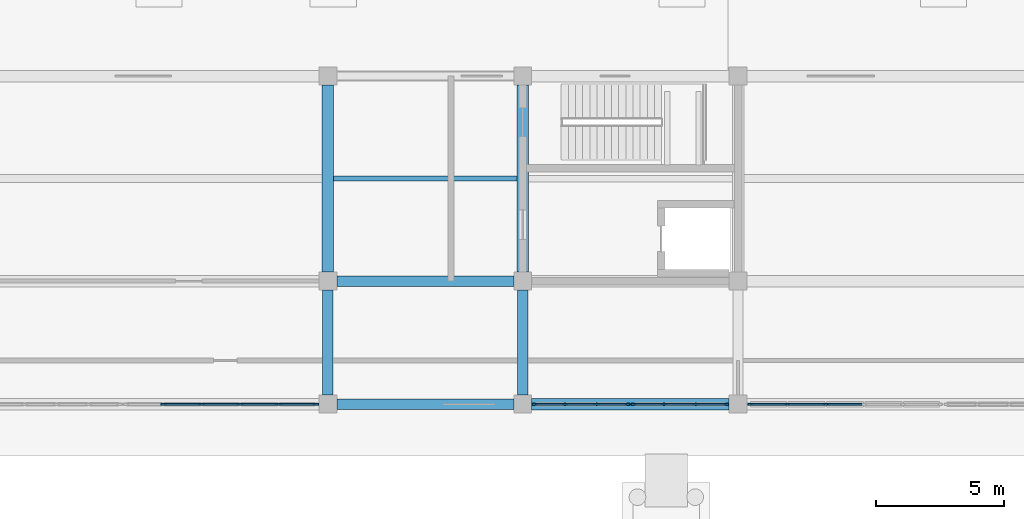
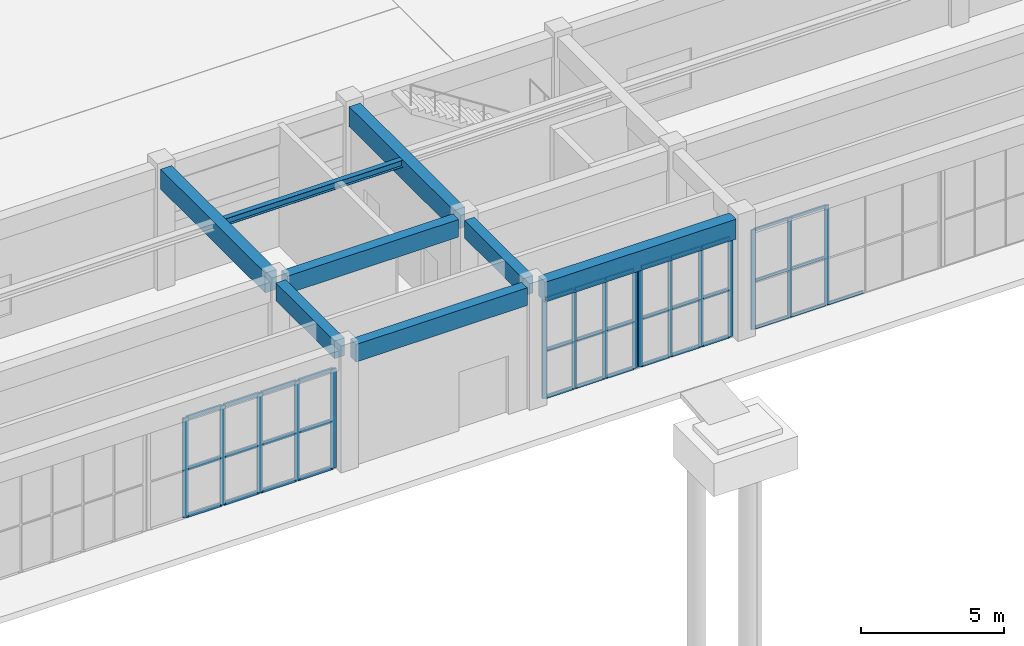
# One storey, part 12 of 46: 53 members, 8 beams, 4 elements without a shape of their own.
"""IFC4 building model written with IfcOpenShell, lengths in metres."""

from ifc_helpers import new_model, si_unit, direction, frame, origin, origin_2d, place, context, subcontext, project, spatial, rectangle, i_section, extrude, material, layer, layer_set, material_profile, profile_set, type_object, element, aggregate, save


model = new_model("IFC4")

# Units and contexts
model_context = context("Model", 3, precision=1e-05, world=origin(), true_north=direction((0.0, 1.0)))
body_context = subcontext(model_context, "Body", "Model", "MODEL_VIEW")
ifc_project = project(units=[si_unit("LENGTHUNIT", "METRE"), si_unit("AREAUNIT", "SQUARE_METRE"), si_unit("VOLUMEUNIT", "CUBIC_METRE"), si_unit("PLANEANGLEUNIT", "RADIAN"), si_unit("MASSUNIT", "GRAM", prefix="KILO")], contexts=[model_context])

# Site, building, storey
site_placement = place(None, origin())
site = spatial("IfcSite", under=ifc_project, at=site_placement, CompositionType="ELEMENT")
building_placement = place(site_placement, origin())
building = spatial("IfcBuilding", under=site, at=building_placement, Name="Cinchona Park Media Centre", CompositionType="ELEMENT")
storey_placement = place(building_placement, origin())
storey = spatial("IfcBuildingStorey", under=building, at=storey_placement, Name="L00", CompositionType="ELEMENT", Elevation=0.0)

# Beams
ifc_material_1 = material(Name="Concrete C35/45", Category="concrete")
ifc_material_profile_1 = material_profile(ifc_material_1, rectangle(XDim=0.39990234375, YDim=0.75, at=origin_2d()), Name="RB 400X750")
ifc_profile_set_1 = profile_set([ifc_material_profile_1], Name="Concrete C35/45")
beam_type_1 = type_object("IfcBeamType", Name="BEAM-B01-RB400X750", PredefinedType="BEAM", material=ifc_profile_set_1)
for number, where, z_axis, x_axis, name in (
    (1, (79.14990234375, 74.800048828125, 4.764892578125), (1.0, 0.0, 0.0), (0.0, 1.0, 0.0), "Beam B01 L00"),
    (2, (79.14990234375, 79.60009765625, 4.764892578125), (1.0, 0.0, 0.0), (0.0, 1.0, 0.0), "Beam B01 L00"),
):
    element("IfcBeam", number, at=place(storey_placement, frame(where, z_axis=z_axis, x_axis=x_axis)), inside=storey, type_object=beam_type_1, Name=name, PredefinedType="BEAM", context=body_context, shape_type="SweptSolid", body=[
        extrude(rectangle(XDim=0.39990234375, YDim=0.75, at=origin_2d()), origin(), (0.0, 0.0, 1.0), 6.900146484375),
    ])
for number, where, z_axis, x_axis, name in (
    (3, (78.800048828125, 75.14990234375, 4.764892578125), (0.0, 1.0, 0.0), (-1.0, 0.0, 0.0), "Girder B01 L00"),
    (4, (86.39990234375, 75.14990234375, 4.764892578125), (0.0, 1.0, 0.0), (-1.0, 0.0, 0.0), "Girder B01 L00"),
):
    element("IfcBeam", number, at=place(storey_placement, frame(where, z_axis=z_axis, x_axis=x_axis)), inside=storey, type_object=beam_type_1, Name=name, PredefinedType="BEAM", context=body_context, shape_type="SweptSolid", body=[
        extrude(rectangle(XDim=0.39990234375, YDim=0.75, at=origin_2d()), origin(), (0.0, 0.0, 1.0), 4.10009765625),
    ])
ifc_material_2 = material(Name="Concrete C35/45", Category="concrete")
ifc_material_profile_2 = material_profile(ifc_material_2, rectangle(XDim=0.449951171875, YDim=0.85009765625, at=origin_2d()), Name="RB 450X850")
ifc_profile_set_2 = profile_set([ifc_material_profile_2], Name="Concrete C35/45")
beam_type_2 = type_object("IfcBeamType", Name="BEAM-B02-RB450X850", PredefinedType="BEAM", material=ifc_profile_set_2)
beam_1_placement = place(storey_placement, frame((86.75, 74.800048828125, 4.715087890625), z_axis=(1.0, 0.0, 0.0), x_axis=(0.0, 1.0, 0.0)))
element("IfcBeam", 5, at=beam_1_placement, inside=storey, type_object=beam_type_2, Name="Beam B02 L00", PredefinedType="BEAM", context=body_context, shape_type="SweptSolid", body=[
    extrude(rectangle(XDim=0.449951171875, YDim=0.85009765625, at=origin_2d()), origin(), (0.0, 0.0, 1.0), 7.699951171875),
])
for number, where, z_axis, x_axis, name in (
    (6, (78.800048828125, 79.949951171875, 4.715087890625), (0.0, 1.0, 0.0), (-1.0, 0.0, 0.0), "Girder B02 L00"),
    (7, (86.39990234375, 79.949951171875, 4.715087890625), (0.0, 1.0, 0.0), (-1.0, 0.0, 0.0), "Girder B02 L00"),
):
    element("IfcBeam", number, at=place(storey_placement, frame(where, z_axis=z_axis, x_axis=x_axis)), inside=storey, type_object=beam_type_2, Name=name, PredefinedType="BEAM", context=body_context, shape_type="SweptSolid", body=[
        extrude(rectangle(XDim=0.449951171875, YDim=0.85009765625, at=origin_2d()), origin(), (0.0, 0.0, 1.0), 7.300048828125),
    ])
ifc_material_3 = material(Name="Steel S355", Category="steel")
ifc_material_profile_3 = material_profile(ifc_material_3, i_section(OverallWidth=0.202880859375, OverallDepth=0.302978515625, WebThickness=0.007568359375, FlangeThickness=0.01318359375, at=origin_2d()), Name="W310X60")
ifc_profile_set_3 = profile_set([ifc_material_profile_3], Name="Steel S355")
beam_type_3 = type_object("IfcBeamType", Name="BEAM-J03-W310X60", PredefinedType="JOIST", material=ifc_profile_set_3)
beam_2_placement = place(storey_placement, frame((79.02490234375, 83.60009765625, 4.988525390625), z_axis=(1.0, 0.0, 0.0), x_axis=(0.0, 1.0, 0.0)))
element("IfcBeam", 8, at=beam_2_placement, inside=storey, type_object=beam_type_3, Name="Floor Joist J03 L00", PredefinedType="JOIST", context=body_context, shape_type="SweptSolid", body=[
    extrude(i_section(OverallWidth=0.202880859375, OverallDepth=0.302978515625, WebThickness=0.007568359375, FlangeThickness=0.01318359375, at=origin_2d()), origin(), (0.0, 0.0, 1.0), 7.150146484375),
])

# Curtain wall, members
ifc_material_4 = material(Name="Aluminium Curtain Wall Framing", Category="aluminium")
ifc_layer_1 = layer(ifc_material_4, 0.239990234375)
ifc_layer_set_1 = layer_set([ifc_layer_1], Name="Aluminium Curtain Wall Framing")
curtain_wall_type_1 = type_object("IfcCurtainWallType", Name="CW-CW05", PredefinedType="USERDEFINED", material=ifc_layer_set_1)
curtain_wall_1_placement = place(storey_placement, origin())
curtain_wall_1 = element("IfcCurtainWall", 9, at=curtain_wall_1_placement, inside=storey, type_object=curtain_wall_type_1, Name="Curtain Wall CW05 L00", ObjectType="UNITISED CURTAIN WALL", PredefinedType="USERDEFINED")
ifc_material_5 = material(Name="Anodised Aluminium Alloy 6063-T6", Category="aluminium")
ifc_material_profile_4 = material_profile(ifc_material_5, rectangle(XDim=0.06494140625, YDim=0.159912109375, at=origin_2d()), Name="MUL-65X160")
ifc_profile_set_4 = profile_set([ifc_material_profile_4], Name="Anodised Aluminium Alloy 6063-T6")
member_type_1 = type_object("IfcMemberType", Name="MULLION-MUL01", PredefinedType="MULLION", material=ifc_profile_set_4)
member_1_placement = place(storey_placement, frame((98.219970703125, 74.800048828125, 0.050048828125), z_axis=(0.0, 0.0, 1.0), x_axis=(0.0, -1.0, 0.0)))
member_1 = element("IfcMember", 10, at=member_1_placement, type_object=member_type_1, Name="CW05 mullion 4", PredefinedType="MULLION", context=body_context, shape_type="SweptSolid", body=[
    extrude(rectangle(XDim=0.06494140625, YDim=0.159912109375, at=origin_2d()), origin(), (0.0, 0.0, 1.0), 4.239990234375),
])
member_2_placement = place(storey_placement, frame((96.719970703125, 74.800048828125, 0.050048828125), z_axis=(0.0, 0.0, 1.0), x_axis=(0.0, -1.0, 0.0)))
member_2 = element("IfcMember", 11, at=member_2_placement, type_object=member_type_1, Name="CW05 mullion 5", PredefinedType="MULLION", context=body_context, shape_type="SweptSolid", body=[
    extrude(rectangle(XDim=0.06494140625, YDim=0.159912109375, at=origin_2d()), origin(), (0.0, 0.0, 1.0), 4.239990234375),
])
member_3_placement = place(storey_placement, frame((95.25244140625, 74.800048828125, 0.050048828125), z_axis=(0.0, 0.0, 1.0), x_axis=(0.0, -1.0, 0.0)))
member_3 = element("IfcMember", 12, at=member_3_placement, type_object=member_type_1, Name="CW05 mullion 6", PredefinedType="MULLION", context=body_context, shape_type="SweptSolid", body=[
    extrude(rectangle(XDim=0.06494140625, YDim=0.159912109375, at=origin_2d()), origin(), (0.0, 0.0, 1.0), 4.239990234375),
])

ifc_material_6 = material(Name="Aluminium Curtain Wall Framing", Category="aluminium")
ifc_layer_2 = layer(ifc_material_6, 0.195068359375)
ifc_layer_set_2 = layer_set([ifc_layer_2], Name="Aluminium Curtain Wall Framing")
curtain_wall_type_2 = type_object("IfcCurtainWallType", Name="CW-CW02", PredefinedType="USERDEFINED", material=ifc_layer_set_2)
curtain_wall_2_placement = place(storey_placement, origin())
curtain_wall_2 = element("IfcCurtainWall", 13, at=curtain_wall_2_placement, inside=storey, type_object=curtain_wall_type_2, Name="Curtain Wall CW02 L00", ObjectType="UNITISED CURTAIN WALL", PredefinedType="USERDEFINED")
ifc_material_7 = material(Name="Anodised Aluminium Alloy 6063-T6", Category="aluminium")
ifc_material_profile_5 = material_profile(ifc_material_7, rectangle(XDim=0.070068359375, YDim=0.179931640625, at=origin_2d()), Name="MUL-70X180")
ifc_profile_set_5 = profile_set([ifc_material_profile_5], Name="Anodised Aluminium Alloy 6063-T6")
member_type_2 = type_object("IfcMemberType", Name="MULLION-MUL02", PredefinedType="MULLION", material=ifc_profile_set_5)
member_4_placement = place(storey_placement, frame((94.344970703125, 74.800048828125, 0.050048828125), z_axis=(0.0, 0.0, 1.0), x_axis=(0.0, -1.0, 0.0)))
member_4 = element("IfcMember", 14, at=member_4_placement, type_object=member_type_2, Name="CW02 mullion 1", PredefinedType="MULLION", context=body_context, shape_type="SweptSolid", body=[
    extrude(rectangle(XDim=0.070068359375, YDim=0.179931640625, at=origin_2d()), origin(), (0.0, 0.0, 1.0), 4.239990234375),
])
member_5_placement = place(storey_placement, frame((93.146728515625, 74.800048828125, 0.050048828125), z_axis=(0.0, 0.0, 1.0), x_axis=(0.0, -1.0, 0.0)))
member_5 = element("IfcMember", 15, at=member_5_placement, type_object=member_type_2, Name="CW02 mullion 2", PredefinedType="MULLION", context=body_context, shape_type="SweptSolid", body=[
    extrude(rectangle(XDim=0.070068359375, YDim=0.179931640625, at=origin_2d()), origin(), (0.0, 0.0, 1.0), 4.239990234375),
])
member_6_placement = place(storey_placement, frame((91.913330078125, 74.800048828125, 0.050048828125), z_axis=(0.0, 0.0, 1.0), x_axis=(0.0, -1.0, 0.0)))
member_6 = element("IfcMember", 16, at=member_6_placement, type_object=member_type_2, Name="CW02 mullion 3", PredefinedType="MULLION", context=body_context, shape_type="SweptSolid", body=[
    extrude(rectangle(XDim=0.070068359375, YDim=0.179931640625, at=origin_2d()), origin(), (0.0, 0.0, 1.0), 4.239990234375),
])
member_7_placement = place(storey_placement, frame((90.715087890625, 74.800048828125, 0.050048828125), z_axis=(0.0, 0.0, 1.0), x_axis=(0.0, -1.0, 0.0)))
member_7 = element("IfcMember", 17, at=member_7_placement, type_object=member_type_2, Name="CW02 mullion 4", PredefinedType="MULLION", context=body_context, shape_type="SweptSolid", body=[
    extrude(rectangle(XDim=0.070068359375, YDim=0.179931640625, at=origin_2d()), origin(), (0.0, 0.0, 1.0), 4.239990234375),
])

ifc_material_8 = material(Name="Aluminium Curtain Wall Framing", Category="aluminium")
ifc_layer_3 = layer(ifc_material_8, 0.2099609375)
ifc_layer_set_3 = layer_set([ifc_layer_3], Name="Aluminium Curtain Wall Framing")
curtain_wall_type_3 = type_object("IfcCurtainWallType", Name="CW-CW03", PredefinedType="USERDEFINED", material=ifc_layer_set_3)
curtain_wall_3_placement = place(storey_placement, origin())
curtain_wall_3 = element("IfcCurtainWall", 18, at=curtain_wall_3_placement, inside=storey, type_object=curtain_wall_type_3, Name="Curtain Wall CW03 L00", ObjectType="UNITISED CURTAIN WALL", PredefinedType="USERDEFINED")
member_8_placement = place(storey_placement, frame((90.485107421875, 74.800048828125, 0.050048828125), z_axis=(0.0, 0.0, 1.0), x_axis=(0.0, -1.0, 0.0)))
member_8 = element("IfcMember", 19, at=member_8_placement, type_object=member_type_2, Name="CW03 mullion 1", PredefinedType="MULLION", context=body_context, shape_type="SweptSolid", body=[
    extrude(rectangle(XDim=0.070068359375, YDim=0.179931640625, at=origin_2d()), origin(), (0.0, 0.0, 1.0), 4.239990234375),
])
member_9_placement = place(storey_placement, frame((89.28662109375, 74.800048828125, 0.050048828125), z_axis=(0.0, 0.0, 1.0), x_axis=(0.0, -1.0, 0.0)))
member_9 = element("IfcMember", 20, at=member_9_placement, type_object=member_type_2, Name="CW03 mullion 2", PredefinedType="MULLION", context=body_context, shape_type="SweptSolid", body=[
    extrude(rectangle(XDim=0.070068359375, YDim=0.179931640625, at=origin_2d()), origin(), (0.0, 0.0, 1.0), 4.239990234375),
])
member_10_placement = place(storey_placement, frame((88.05322265625, 74.800048828125, 0.050048828125), z_axis=(0.0, 0.0, 1.0), x_axis=(0.0, -1.0, 0.0)))
member_10 = element("IfcMember", 21, at=member_10_placement, type_object=member_type_2, Name="CW03 mullion 3", PredefinedType="MULLION", context=body_context, shape_type="SweptSolid", body=[
    extrude(rectangle(XDim=0.070068359375, YDim=0.179931640625, at=origin_2d()), origin(), (0.0, 0.0, 1.0), 4.239990234375),
])
member_11_placement = place(storey_placement, frame((86.85498046875, 74.800048828125, 0.050048828125), z_axis=(0.0, 0.0, 1.0), x_axis=(0.0, -1.0, 0.0)))
member_11 = element("IfcMember", 22, at=member_11_placement, type_object=member_type_2, Name="CW03 mullion 4", PredefinedType="MULLION", context=body_context, shape_type="SweptSolid", body=[
    extrude(rectangle(XDim=0.070068359375, YDim=0.179931640625, at=origin_2d()), origin(), (0.0, 0.0, 1.0), 4.239990234375),
])

ifc_material_9 = material(Name="Aluminium Curtain Wall Framing", Category="aluminium")
ifc_layer_4 = layer(ifc_material_9, 0.300048828125)
ifc_layer_set_4 = layer_set([ifc_layer_4], Name="Aluminium Curtain Wall Framing")
curtain_wall_type_4 = type_object("IfcCurtainWallType", Name="CW-CW09", PredefinedType="USERDEFINED", material=ifc_layer_set_4)
curtain_wall_4_placement = place(storey_placement, origin())
curtain_wall_4 = element("IfcCurtainWall", 23, at=curtain_wall_4_placement, inside=storey, type_object=curtain_wall_type_4, Name="Curtain Wall CW09 L00", ObjectType="UNITISED CURTAIN WALL", PredefinedType="USERDEFINED")
ifc_material_10 = material(Name="Anodised Aluminium Alloy 6063-T6", Category="aluminium")
ifc_material_profile_6 = material_profile(ifc_material_10, rectangle(XDim=0.074951171875, YDim=0.2099609375, at=origin_2d()), Name="MUL-75X210")
ifc_profile_set_6 = profile_set([ifc_material_profile_6], Name="Anodised Aluminium Alloy 6063-T6")
member_type_3 = type_object("IfcMemberType", Name="MULLION-MUL03", PredefinedType="MULLION", material=ifc_profile_set_6)
member_12_placement = place(storey_placement, frame((78.342529296875, 74.800048828125, 0.050048828125), z_axis=(0.0, 0.0, 1.0), x_axis=(0.0, -1.0, 0.0)))
member_12 = element("IfcMember", 24, at=member_12_placement, type_object=member_type_3, Name="CW09 mullion 1", PredefinedType="MULLION", context=body_context, shape_type="SweptSolid", body=[
    extrude(rectangle(XDim=0.074951171875, YDim=0.2099609375, at=origin_2d()), origin(), (0.0, 0.0, 1.0), 4.239990234375),
])
member_13_placement = place(storey_placement, frame((76.8798828125, 74.800048828125, 0.050048828125), z_axis=(0.0, 0.0, 1.0), x_axis=(0.0, -1.0, 0.0)))
member_13 = element("IfcMember", 25, at=member_13_placement, type_object=member_type_3, Name="CW09 mullion 2", PredefinedType="MULLION", context=body_context, shape_type="SweptSolid", body=[
    extrude(rectangle(XDim=0.074951171875, YDim=0.2099609375, at=origin_2d()), origin(), (0.0, 0.0, 1.0), 4.239990234375),
])
member_14_placement = place(storey_placement, frame((75.3798828125, 74.800048828125, 0.050048828125), z_axis=(0.0, 0.0, 1.0), x_axis=(0.0, -1.0, 0.0)))
member_14 = element("IfcMember", 26, at=member_14_placement, type_object=member_type_3, Name="CW09 mullion 3", PredefinedType="MULLION", context=body_context, shape_type="SweptSolid", body=[
    extrude(rectangle(XDim=0.074951171875, YDim=0.2099609375, at=origin_2d()), origin(), (0.0, 0.0, 1.0), 4.239990234375),
])
member_15_placement = place(storey_placement, frame((73.8798828125, 74.800048828125, 0.050048828125), z_axis=(0.0, 0.0, 1.0), x_axis=(0.0, -1.0, 0.0)))
member_15 = element("IfcMember", 27, at=member_15_placement, type_object=member_type_3, Name="CW09 mullion 4", PredefinedType="MULLION", context=body_context, shape_type="SweptSolid", body=[
    extrude(rectangle(XDim=0.074951171875, YDim=0.2099609375, at=origin_2d()), origin(), (0.0, 0.0, 1.0), 4.239990234375),
])
member_16_placement = place(storey_placement, frame((72.3798828125, 74.800048828125, 0.050048828125), z_axis=(0.0, 0.0, 1.0), x_axis=(0.0, -1.0, 0.0)))
member_16 = element("IfcMember", 28, at=member_16_placement, type_object=member_type_3, Name="CW09 mullion 5", PredefinedType="MULLION", context=body_context, shape_type="SweptSolid", body=[
    extrude(rectangle(XDim=0.074951171875, YDim=0.2099609375, at=origin_2d()), origin(), (0.0, 0.0, 1.0), 4.239990234375),
])

# Member
ifc_material_11 = material(Name="Anodised Aluminium Alloy 6063-T6", Category="aluminium")
ifc_material_profile_7 = material_profile(ifc_material_11, rectangle(XDim=0.06494140625, YDim=0.1201171875, at=origin_2d()), Name="TRN-65X120")
ifc_profile_set_7 = profile_set([ifc_material_profile_7], Name="Anodised Aluminium Alloy 6063-T6")
member_type_4 = type_object("IfcMemberType", Name="TRANSOM-TRN01", PredefinedType="USERDEFINED", material=ifc_profile_set_7)
member_17_placement = place(storey_placement, frame((99.6875, 74.800048828125, 0.08251953125), z_axis=(-1.0, 0.0, 0.0), x_axis=(0.0, -1.0, 0.0)))
member_17 = element("IfcMember", 29, at=member_17_placement, type_object=member_type_4, Name="CW05 transom 3.1", ObjectType="TRANSOM", PredefinedType="USERDEFINED", context=body_context, shape_type="SweptSolid", body=[
    extrude(rectangle(XDim=0.06494140625, YDim=0.1201171875, at=origin_2d()), origin(), (0.0, 0.0, 1.0), 1.43505859375),
])

member_18_placement = place(storey_placement, frame((98.1875, 74.800048828125, 0.08251953125), z_axis=(-1.0, 0.0, 0.0), x_axis=(0.0, -1.0, 0.0)))
member_18 = element("IfcMember", 30, at=member_18_placement, type_object=member_type_4, Name="CW05 transom 4.1", ObjectType="TRANSOM", PredefinedType="USERDEFINED", context=body_context, shape_type="SweptSolid", body=[
    extrude(rectangle(XDim=0.06494140625, YDim=0.1201171875, at=origin_2d()), origin(), (0.0, 0.0, 1.0), 1.43505859375),
])

member_19_placement = place(storey_placement, frame((98.1875, 74.800048828125, 2.0849609375), z_axis=(-1.0, 0.0, 0.0), x_axis=(0.0, -1.0, 0.0)))
member_19 = element("IfcMember", 31, at=member_19_placement, type_object=member_type_4, Name="CW05 transom 4.2", ObjectType="TRANSOM", PredefinedType="USERDEFINED", context=body_context, shape_type="SweptSolid", body=[
    extrude(rectangle(XDim=0.06494140625, YDim=0.1201171875, at=origin_2d()), origin(), (0.0, 0.0, 1.0), 1.43505859375),
])

member_20_placement = place(storey_placement, frame((98.1875, 74.800048828125, 4.257568359375), z_axis=(-1.0, 0.0, 0.0), x_axis=(0.0, -1.0, 0.0)))
member_20 = element("IfcMember", 32, at=member_20_placement, type_object=member_type_4, Name="CW05 transom 4.3", ObjectType="TRANSOM", PredefinedType="USERDEFINED", context=body_context, shape_type="SweptSolid", body=[
    extrude(rectangle(XDim=0.06494140625, YDim=0.1201171875, at=origin_2d()), origin(), (0.0, 0.0, 1.0), 1.43505859375),
])

member_21_placement = place(storey_placement, frame((96.6875, 74.800048828125, 0.08251953125), z_axis=(-1.0, 0.0, 0.0), x_axis=(0.0, -1.0, 0.0)))
member_21 = element("IfcMember", 33, at=member_21_placement, type_object=member_type_4, Name="CW05 transom 5.1", ObjectType="TRANSOM", PredefinedType="USERDEFINED", context=body_context, shape_type="SweptSolid", body=[
    extrude(rectangle(XDim=0.06494140625, YDim=0.1201171875, at=origin_2d()), origin(), (0.0, 0.0, 1.0), 1.402587890625),
])

member_22_placement = place(storey_placement, frame((96.6875, 74.800048828125, 2.0849609375), z_axis=(-1.0, 0.0, 0.0), x_axis=(0.0, -1.0, 0.0)))
member_22 = element("IfcMember", 34, at=member_22_placement, type_object=member_type_4, Name="CW05 transom 5.2", ObjectType="TRANSOM", PredefinedType="USERDEFINED", context=body_context, shape_type="SweptSolid", body=[
    extrude(rectangle(XDim=0.06494140625, YDim=0.1201171875, at=origin_2d()), origin(), (0.0, 0.0, 1.0), 1.402587890625),
])

member_23_placement = place(storey_placement, frame((96.6875, 74.800048828125, 4.257568359375), z_axis=(-1.0, 0.0, 0.0), x_axis=(0.0, -1.0, 0.0)))
member_23 = element("IfcMember", 35, at=member_23_placement, type_object=member_type_4, Name="CW05 transom 5.3", ObjectType="TRANSOM", PredefinedType="USERDEFINED", context=body_context, shape_type="SweptSolid", body=[
    extrude(rectangle(XDim=0.06494140625, YDim=0.1201171875, at=origin_2d()), origin(), (0.0, 0.0, 1.0), 1.402587890625),
])

aggregate(curtain_wall_1, [member_1, member_2, member_3, member_17, member_18, member_19, member_20, member_21, member_22, member_23])

ifc_material_12 = material(Name="Anodised Aluminium Alloy 6063-T6", Category="aluminium")
ifc_material_profile_8 = material_profile(ifc_material_12, rectangle(XDim=0.070068359375, YDim=0.139892578125, at=origin_2d()), Name="TRN-70X140")
ifc_profile_set_8 = profile_set([ifc_material_profile_8], Name="Anodised Aluminium Alloy 6063-T6")
member_type_5 = type_object("IfcMemberType", Name="TRANSOM-TRN02", PredefinedType="USERDEFINED", material=ifc_profile_set_8)
member_24_placement = place(storey_placement, frame((94.31005859375, 74.800048828125, 0.0849609375), z_axis=(-1.0, 0.0, 0.0), x_axis=(0.0, -1.0, 0.0)))
member_24 = element("IfcMember", 36, at=member_24_placement, type_object=member_type_5, Name="CW02 transom 1.1", ObjectType="TRANSOM", PredefinedType="USERDEFINED", context=body_context, shape_type="SweptSolid", body=[
    extrude(rectangle(XDim=0.070068359375, YDim=0.139892578125, at=origin_2d()), origin(), (0.0, 0.0, 1.0), 1.12841796875),
])

member_25_placement = place(storey_placement, frame((94.31005859375, 74.800048828125, 2.0849609375), z_axis=(-1.0, 0.0, 0.0), x_axis=(0.0, -1.0, 0.0)))
member_25 = element("IfcMember", 37, at=member_25_placement, type_object=member_type_5, Name="CW02 transom 1.2", ObjectType="TRANSOM", PredefinedType="USERDEFINED", context=body_context, shape_type="SweptSolid", body=[
    extrude(rectangle(XDim=0.070068359375, YDim=0.139892578125, at=origin_2d()), origin(), (0.0, 0.0, 1.0), 1.12841796875),
])

member_26_placement = place(storey_placement, frame((94.31005859375, 74.800048828125, 4.2548828125), z_axis=(-1.0, 0.0, 0.0), x_axis=(0.0, -1.0, 0.0)))
member_26 = element("IfcMember", 38, at=member_26_placement, type_object=member_type_5, Name="CW02 transom 1.3", ObjectType="TRANSOM", PredefinedType="USERDEFINED", context=body_context, shape_type="SweptSolid", body=[
    extrude(rectangle(XDim=0.070068359375, YDim=0.139892578125, at=origin_2d()), origin(), (0.0, 0.0, 1.0), 1.12841796875),
])

member_27_placement = place(storey_placement, frame((93.111572265625, 74.800048828125, 0.0849609375), z_axis=(-1.0, 0.0, 0.0), x_axis=(0.0, -1.0, 0.0)))
member_27 = element("IfcMember", 39, at=member_27_placement, type_object=member_type_5, Name="CW02 transom 2.1", ObjectType="TRANSOM", PredefinedType="USERDEFINED", context=body_context, shape_type="SweptSolid", body=[
    extrude(rectangle(XDim=0.070068359375, YDim=0.139892578125, at=origin_2d()), origin(), (0.0, 0.0, 1.0), 1.163330078125),
])

member_28_placement = place(storey_placement, frame((93.111572265625, 74.800048828125, 2.0849609375), z_axis=(-1.0, 0.0, 0.0), x_axis=(0.0, -1.0, 0.0)))
member_28 = element("IfcMember", 40, at=member_28_placement, type_object=member_type_5, Name="CW02 transom 2.2", ObjectType="TRANSOM", PredefinedType="USERDEFINED", context=body_context, shape_type="SweptSolid", body=[
    extrude(rectangle(XDim=0.070068359375, YDim=0.139892578125, at=origin_2d()), origin(), (0.0, 0.0, 1.0), 1.163330078125),
])

member_29_placement = place(storey_placement, frame((93.111572265625, 74.800048828125, 4.2548828125), z_axis=(-1.0, 0.0, 0.0), x_axis=(0.0, -1.0, 0.0)))
member_29 = element("IfcMember", 41, at=member_29_placement, type_object=member_type_5, Name="CW02 transom 2.3", ObjectType="TRANSOM", PredefinedType="USERDEFINED", context=body_context, shape_type="SweptSolid", body=[
    extrude(rectangle(XDim=0.070068359375, YDim=0.139892578125, at=origin_2d()), origin(), (0.0, 0.0, 1.0), 1.163330078125),
])

member_30_placement = place(storey_placement, frame((91.87841796875, 74.800048828125, 0.0849609375), z_axis=(-1.0, 0.0, 0.0), x_axis=(0.0, -1.0, 0.0)))
member_30 = element("IfcMember", 42, at=member_30_placement, type_object=member_type_5, Name="CW02 transom 3.1", ObjectType="TRANSOM", PredefinedType="USERDEFINED", context=body_context, shape_type="SweptSolid", body=[
    extrude(rectangle(XDim=0.070068359375, YDim=0.139892578125, at=origin_2d()), origin(), (0.0, 0.0, 1.0), 1.12841796875),
])

member_31_placement = place(storey_placement, frame((91.87841796875, 74.800048828125, 2.0849609375), z_axis=(-1.0, 0.0, 0.0), x_axis=(0.0, -1.0, 0.0)))
member_31 = element("IfcMember", 43, at=member_31_placement, type_object=member_type_5, Name="CW02 transom 3.2", ObjectType="TRANSOM", PredefinedType="USERDEFINED", context=body_context, shape_type="SweptSolid", body=[
    extrude(rectangle(XDim=0.070068359375, YDim=0.139892578125, at=origin_2d()), origin(), (0.0, 0.0, 1.0), 1.12841796875),
])

member_32_placement = place(storey_placement, frame((91.87841796875, 74.800048828125, 4.2548828125), z_axis=(-1.0, 0.0, 0.0), x_axis=(0.0, -1.0, 0.0)))
member_32 = element("IfcMember", 44, at=member_32_placement, type_object=member_type_5, Name="CW02 transom 3.3", ObjectType="TRANSOM", PredefinedType="USERDEFINED", context=body_context, shape_type="SweptSolid", body=[
    extrude(rectangle(XDim=0.070068359375, YDim=0.139892578125, at=origin_2d()), origin(), (0.0, 0.0, 1.0), 1.12841796875),
])

aggregate(curtain_wall_2, [member_4, member_5, member_6, member_7, member_24, member_25, member_26, member_27, member_28, member_29, member_30, member_31, member_32])

member_33_placement = place(storey_placement, frame((90.449951171875, 74.800048828125, 0.0849609375), z_axis=(-1.0, 0.0, 0.0), x_axis=(0.0, -1.0, 0.0)))
member_33 = element("IfcMember", 45, at=member_33_placement, type_object=member_type_5, Name="CW03 transom 1.1", ObjectType="TRANSOM", PredefinedType="USERDEFINED", context=body_context, shape_type="SweptSolid", body=[
    extrude(rectangle(XDim=0.070068359375, YDim=0.139892578125, at=origin_2d()), origin(), (0.0, 0.0, 1.0), 1.128173828125),
])

member_34_placement = place(storey_placement, frame((90.449951171875, 74.800048828125, 2.0849609375), z_axis=(-1.0, 0.0, 0.0), x_axis=(0.0, -1.0, 0.0)))
member_34 = element("IfcMember", 46, at=member_34_placement, type_object=member_type_5, Name="CW03 transom 1.2", ObjectType="TRANSOM", PredefinedType="USERDEFINED", context=body_context, shape_type="SweptSolid", body=[
    extrude(rectangle(XDim=0.070068359375, YDim=0.139892578125, at=origin_2d()), origin(), (0.0, 0.0, 1.0), 1.128173828125),
])

member_35_placement = place(storey_placement, frame((90.449951171875, 74.800048828125, 4.2548828125), z_axis=(-1.0, 0.0, 0.0), x_axis=(0.0, -1.0, 0.0)))
member_35 = element("IfcMember", 47, at=member_35_placement, type_object=member_type_5, Name="CW03 transom 1.3", ObjectType="TRANSOM", PredefinedType="USERDEFINED", context=body_context, shape_type="SweptSolid", body=[
    extrude(rectangle(XDim=0.070068359375, YDim=0.139892578125, at=origin_2d()), origin(), (0.0, 0.0, 1.0), 1.128173828125),
])

member_36_placement = place(storey_placement, frame((89.251708984375, 74.800048828125, 0.0849609375), z_axis=(-1.0, 0.0, 0.0), x_axis=(0.0, -1.0, 0.0)))
member_36 = element("IfcMember", 48, at=member_36_placement, type_object=member_type_5, Name="CW03 transom 2.1", ObjectType="TRANSOM", PredefinedType="USERDEFINED", context=body_context, shape_type="SweptSolid", body=[
    extrude(rectangle(XDim=0.070068359375, YDim=0.139892578125, at=origin_2d()), origin(), (0.0, 0.0, 1.0), 1.163330078125),
])

member_37_placement = place(storey_placement, frame((89.251708984375, 74.800048828125, 2.0849609375), z_axis=(-1.0, 0.0, 0.0), x_axis=(0.0, -1.0, 0.0)))
member_37 = element("IfcMember", 49, at=member_37_placement, type_object=member_type_5, Name="CW03 transom 2.2", ObjectType="TRANSOM", PredefinedType="USERDEFINED", context=body_context, shape_type="SweptSolid", body=[
    extrude(rectangle(XDim=0.070068359375, YDim=0.139892578125, at=origin_2d()), origin(), (0.0, 0.0, 1.0), 1.163330078125),
])

member_38_placement = place(storey_placement, frame((89.251708984375, 74.800048828125, 4.2548828125), z_axis=(-1.0, 0.0, 0.0), x_axis=(0.0, -1.0, 0.0)))
member_38 = element("IfcMember", 50, at=member_38_placement, type_object=member_type_5, Name="CW03 transom 2.3", ObjectType="TRANSOM", PredefinedType="USERDEFINED", context=body_context, shape_type="SweptSolid", body=[
    extrude(rectangle(XDim=0.070068359375, YDim=0.139892578125, at=origin_2d()), origin(), (0.0, 0.0, 1.0), 1.163330078125),
])

member_39_placement = place(storey_placement, frame((88.018310546875, 74.800048828125, 0.0849609375), z_axis=(-1.0, 0.0, 0.0), x_axis=(0.0, -1.0, 0.0)))
member_39 = element("IfcMember", 51, at=member_39_placement, type_object=member_type_5, Name="CW03 transom 3.1", ObjectType="TRANSOM", PredefinedType="USERDEFINED", context=body_context, shape_type="SweptSolid", body=[
    extrude(rectangle(XDim=0.070068359375, YDim=0.139892578125, at=origin_2d()), origin(), (0.0, 0.0, 1.0), 1.12841796875),
])

member_40_placement = place(storey_placement, frame((88.018310546875, 74.800048828125, 2.0849609375), z_axis=(-1.0, 0.0, 0.0), x_axis=(0.0, -1.0, 0.0)))
member_40 = element("IfcMember", 52, at=member_40_placement, type_object=member_type_5, Name="CW03 transom 3.2", ObjectType="TRANSOM", PredefinedType="USERDEFINED", context=body_context, shape_type="SweptSolid", body=[
    extrude(rectangle(XDim=0.070068359375, YDim=0.139892578125, at=origin_2d()), origin(), (0.0, 0.0, 1.0), 1.12841796875),
])

member_41_placement = place(storey_placement, frame((88.018310546875, 74.800048828125, 4.2548828125), z_axis=(-1.0, 0.0, 0.0), x_axis=(0.0, -1.0, 0.0)))
member_41 = element("IfcMember", 53, at=member_41_placement, type_object=member_type_5, Name="CW03 transom 3.3", ObjectType="TRANSOM", PredefinedType="USERDEFINED", context=body_context, shape_type="SweptSolid", body=[
    extrude(rectangle(XDim=0.070068359375, YDim=0.139892578125, at=origin_2d()), origin(), (0.0, 0.0, 1.0), 1.12841796875),
])

aggregate(curtain_wall_3, [member_8, member_9, member_10, member_11, member_33, member_34, member_35, member_36, member_37, member_38, member_39, member_40, member_41])

ifc_material_13 = material(Name="Anodised Aluminium Alloy 6063-T6", Category="aluminium")
ifc_material_profile_9 = material_profile(ifc_material_13, rectangle(XDim=0.074951171875, YDim=0.159912109375, at=origin_2d()), Name="TRN-75X160")
ifc_profile_set_9 = profile_set([ifc_material_profile_9], Name="Anodised Aluminium Alloy 6063-T6")
member_type_6 = type_object("IfcMemberType", Name="TRANSOM-TRN03", PredefinedType="USERDEFINED", material=ifc_profile_set_9)
member_42_placement = place(storey_placement, frame((78.304931640625, 74.800048828125, 0.08740234375), z_axis=(-1.0, 0.0, 0.0), x_axis=(0.0, -1.0, 0.0)))
member_42 = element("IfcMember", 54, at=member_42_placement, type_object=member_type_6, Name="CW09 transom 1.1", ObjectType="TRANSOM", PredefinedType="USERDEFINED", context=body_context, shape_type="SweptSolid", body=[
    extrude(rectangle(XDim=0.074951171875, YDim=0.159912109375, at=origin_2d()), origin(), (0.0, 0.0, 1.0), 1.387451171875),
])

member_43_placement = place(storey_placement, frame((78.304931640625, 74.800048828125, 2.0849609375), z_axis=(-1.0, 0.0, 0.0), x_axis=(0.0, -1.0, 0.0)))
member_43 = element("IfcMember", 55, at=member_43_placement, type_object=member_type_6, Name="CW09 transom 1.2", ObjectType="TRANSOM", PredefinedType="USERDEFINED", context=body_context, shape_type="SweptSolid", body=[
    extrude(rectangle(XDim=0.074951171875, YDim=0.159912109375, at=origin_2d()), origin(), (0.0, 0.0, 1.0), 1.387451171875),
])

member_44_placement = place(storey_placement, frame((78.304931640625, 74.800048828125, 4.25244140625), z_axis=(-1.0, 0.0, 0.0), x_axis=(0.0, -1.0, 0.0)))
member_44 = element("IfcMember", 56, at=member_44_placement, type_object=member_type_6, Name="CW09 transom 1.3", ObjectType="TRANSOM", PredefinedType="USERDEFINED", context=body_context, shape_type="SweptSolid", body=[
    extrude(rectangle(XDim=0.074951171875, YDim=0.159912109375, at=origin_2d()), origin(), (0.0, 0.0, 1.0), 1.387451171875),
])

member_45_placement = place(storey_placement, frame((76.842529296875, 74.800048828125, 0.08740234375), z_axis=(-1.0, 0.0, 0.0), x_axis=(0.0, -1.0, 0.0)))
member_45 = element("IfcMember", 57, at=member_45_placement, type_object=member_type_6, Name="CW09 transom 2.1", ObjectType="TRANSOM", PredefinedType="USERDEFINED", context=body_context, shape_type="SweptSolid", body=[
    extrude(rectangle(XDim=0.074951171875, YDim=0.159912109375, at=origin_2d()), origin(), (0.0, 0.0, 1.0), 1.425048828125),
])

member_46_placement = place(storey_placement, frame((76.842529296875, 74.800048828125, 2.0849609375), z_axis=(-1.0, 0.0, 0.0), x_axis=(0.0, -1.0, 0.0)))
member_46 = element("IfcMember", 58, at=member_46_placement, type_object=member_type_6, Name="CW09 transom 2.2", ObjectType="TRANSOM", PredefinedType="USERDEFINED", context=body_context, shape_type="SweptSolid", body=[
    extrude(rectangle(XDim=0.074951171875, YDim=0.159912109375, at=origin_2d()), origin(), (0.0, 0.0, 1.0), 1.425048828125),
])

member_47_placement = place(storey_placement, frame((76.842529296875, 74.800048828125, 4.25244140625), z_axis=(-1.0, 0.0, 0.0), x_axis=(0.0, -1.0, 0.0)))
member_47 = element("IfcMember", 59, at=member_47_placement, type_object=member_type_6, Name="CW09 transom 2.3", ObjectType="TRANSOM", PredefinedType="USERDEFINED", context=body_context, shape_type="SweptSolid", body=[
    extrude(rectangle(XDim=0.074951171875, YDim=0.159912109375, at=origin_2d()), origin(), (0.0, 0.0, 1.0), 1.425048828125),
])

member_48_placement = place(storey_placement, frame((75.342529296875, 74.800048828125, 0.08740234375), z_axis=(-1.0, 0.0, 0.0), x_axis=(0.0, -1.0, 0.0)))
member_48 = element("IfcMember", 60, at=member_48_placement, type_object=member_type_6, Name="CW09 transom 3.1", ObjectType="TRANSOM", PredefinedType="USERDEFINED", context=body_context, shape_type="SweptSolid", body=[
    extrude(rectangle(XDim=0.074951171875, YDim=0.159912109375, at=origin_2d()), origin(), (0.0, 0.0, 1.0), 1.425048828125),
])

member_49_placement = place(storey_placement, frame((75.342529296875, 74.800048828125, 2.0849609375), z_axis=(-1.0, 0.0, 0.0), x_axis=(0.0, -1.0, 0.0)))
member_49 = element("IfcMember", 61, at=member_49_placement, type_object=member_type_6, Name="CW09 transom 3.2", ObjectType="TRANSOM", PredefinedType="USERDEFINED", context=body_context, shape_type="SweptSolid", body=[
    extrude(rectangle(XDim=0.074951171875, YDim=0.159912109375, at=origin_2d()), origin(), (0.0, 0.0, 1.0), 1.425048828125),
])

member_50_placement = place(storey_placement, frame((75.342529296875, 74.800048828125, 4.25244140625), z_axis=(-1.0, 0.0, 0.0), x_axis=(0.0, -1.0, 0.0)))
member_50 = element("IfcMember", 62, at=member_50_placement, type_object=member_type_6, Name="CW09 transom 3.3", ObjectType="TRANSOM", PredefinedType="USERDEFINED", context=body_context, shape_type="SweptSolid", body=[
    extrude(rectangle(XDim=0.074951171875, YDim=0.159912109375, at=origin_2d()), origin(), (0.0, 0.0, 1.0), 1.425048828125),
])

member_51_placement = place(storey_placement, frame((73.842529296875, 74.800048828125, 0.08740234375), z_axis=(-1.0, 0.0, 0.0), x_axis=(0.0, -1.0, 0.0)))
member_51 = element("IfcMember", 63, at=member_51_placement, type_object=member_type_6, Name="CW09 transom 4.1", ObjectType="TRANSOM", PredefinedType="USERDEFINED", context=body_context, shape_type="SweptSolid", body=[
    extrude(rectangle(XDim=0.074951171875, YDim=0.159912109375, at=origin_2d()), origin(), (0.0, 0.0, 1.0), 1.425048828125),
])

member_52_placement = place(storey_placement, frame((73.842529296875, 74.800048828125, 2.0849609375), z_axis=(-1.0, 0.0, 0.0), x_axis=(0.0, -1.0, 0.0)))
member_52 = element("IfcMember", 64, at=member_52_placement, type_object=member_type_6, Name="CW09 transom 4.2", ObjectType="TRANSOM", PredefinedType="USERDEFINED", context=body_context, shape_type="SweptSolid", body=[
    extrude(rectangle(XDim=0.074951171875, YDim=0.159912109375, at=origin_2d()), origin(), (0.0, 0.0, 1.0), 1.425048828125),
])

member_53_placement = place(storey_placement, frame((73.842529296875, 74.800048828125, 4.25244140625), z_axis=(-1.0, 0.0, 0.0), x_axis=(0.0, -1.0, 0.0)))
member_53 = element("IfcMember", 65, at=member_53_placement, type_object=member_type_6, Name="CW09 transom 4.3", ObjectType="TRANSOM", PredefinedType="USERDEFINED", context=body_context, shape_type="SweptSolid", body=[
    extrude(rectangle(XDim=0.074951171875, YDim=0.159912109375, at=origin_2d()), origin(), (0.0, 0.0, 1.0), 1.425048828125),
])

aggregate(curtain_wall_4, [member_12, member_13, member_14, member_15, member_16, member_42, member_43, member_44, member_45, member_46, member_47, member_48, member_49, member_50, member_51, member_52, member_53])

save(model, "model.ifc")
